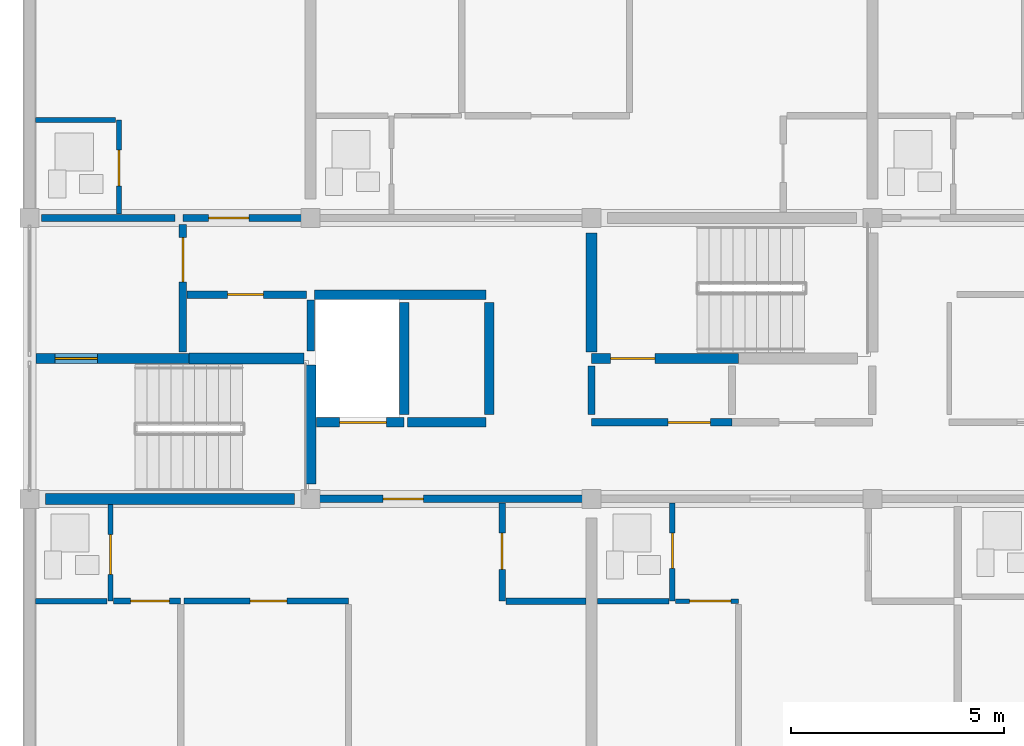
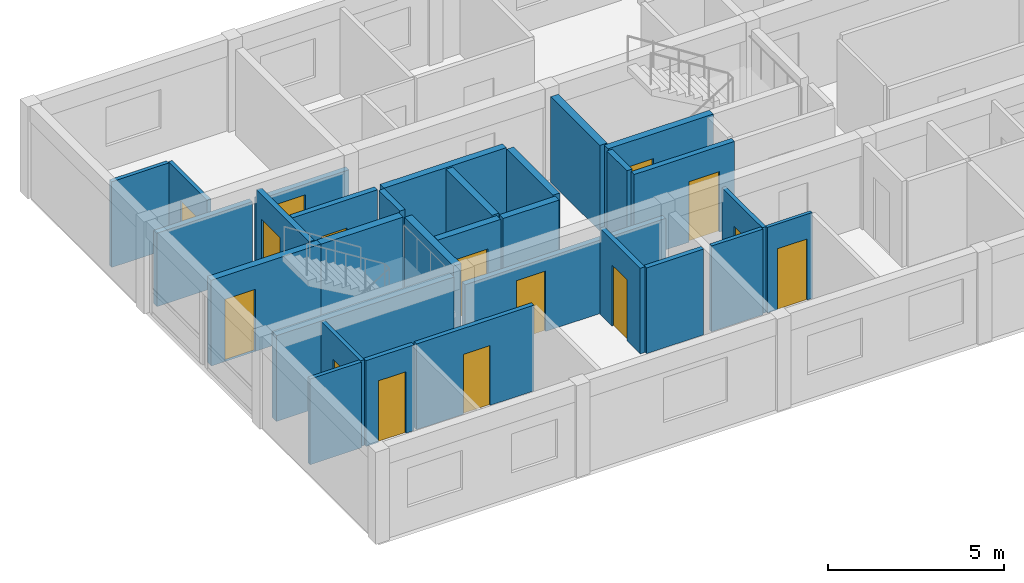
# One storey, part 21 of 34: 30 walls, 15 doors, 15 openings.
"""IFC4 building model written with IfcOpenShell, lengths in metres."""

from ifc_helpers import new_model, si_unit, direction, frame, frame_2d, origin, place, context, subcontext, project, spatial, rectangle, extrude, material, layer, layer_set, type_object, element, fill, save


model = new_model("IFC4")

# Units and contexts
model_context = context("Model", 3, precision=1e-05, world=origin(), true_north=direction((0.0, 1.0)))
body_context = subcontext(model_context, "Body", "Model", "MODEL_VIEW")
ifc_project = project(units=[si_unit("LENGTHUNIT", "METRE"), si_unit("AREAUNIT", "SQUARE_METRE"), si_unit("VOLUMEUNIT", "CUBIC_METRE"), si_unit("PLANEANGLEUNIT", "RADIAN"), si_unit("MASSUNIT", "GRAM", prefix="KILO")], contexts=[model_context])

# Site, building, storey
site_placement = place(None, origin())
site = spatial("IfcSite", under=ifc_project, at=site_placement, CompositionType="ELEMENT")
building_placement = place(site_placement, origin())
building = spatial("IfcBuilding", under=site, at=building_placement, Name="Kernevlak Ridge Housing Community", CompositionType="ELEMENT")
storey_placement = place(building_placement, frame((0.0, 0.0, 40.39990234375)))
storey = spatial("IfcBuildingStorey", under=building, at=storey_placement, Name="L12", CompositionType="ELEMENT", Elevation=40.39990234375)

# Wall, opening, door
ifc_material_1 = material(Name="Concrete C35/45", Category="concrete")
ifc_layer_1 = layer(ifc_material_1, 0.22509765625, Name="Concrete C35/45")
ifc_layer_set_1 = layer_set([ifc_layer_1], Name="Concrete C35/45")
wall_type_1 = type_object("IfcWallType", Name="PW-01", PredefinedType="STANDARD", material=ifc_layer_set_1)
wall_1_placement = place(storey_placement, frame((15.75, 85.89990234375, 0.0), z_axis=(0.0, 0.0, 1.0), x_axis=(1.0, 0.0, 0.0)))
wall_1 = element("IfcWall", 1, at=wall_1_placement, inside=storey, type_object=wall_type_1, Name="Interior wall PW-01 WAL-INT-L12-0756", PredefinedType="STANDARD", context=body_context, shape_type="SweptSolid", body=[
    extrude(rectangle(XDim=3.60009765625, YDim=0.22509765625, at=frame_2d((1.800048828125, 0.0))), origin(), (0.0, 0.0, 1.0), 2.97998046875),
])
opening_1_placement = place(wall_1_placement, frame((0.449951171875, 0.0, 0.0)))
opening_1 = element("IfcOpeningElement", 2, at=opening_1_placement, cuts=wall_1, Name="Opening D383", PredefinedType="OPENING", context=body_context, shape_type="SweptSolid", body=[
    extrude(rectangle(XDim=1.0, YDim=2.159912109375, at=frame_2d((0.5, 1.080078125))), frame((0.0, 0.12255859375, 0.0), z_axis=(0.0, -1.0, 0.0), x_axis=(1.0, 0.0, 0.0)), (0.0, 0.0, 1.0), 0.2451171875),
])
ifc_material_2 = material(Name="Fire-rated sheet steel leaf", Category="steel")
door_type_1 = type_object("IfcDoorType", Name="DT-15", OperationType="NOTDEFINED", PredefinedType="DOOR", material=ifc_material_2)
door_1_placement = place(opening_1_placement, origin())
door_1 = element("IfcDoor", 3, at=door_1_placement, inside=storey, type_object=door_type_1, Name="Block A Stair 1 fire door D383", OperationType="SINGLE_SWING_LEFT", OverallHeight=2.159912109375, OverallWidth=1.0, PredefinedType="DOOR", context=body_context, shape_type="SweptSolid", body=[
    extrude(rectangle(XDim=1.0, YDim=2.159912109375, at=frame_2d((0.5, 1.080078125))), frame((0.0, 0.02490234375, 0.0), z_axis=(0.0, -1.0, 0.0), x_axis=(1.0, 0.0, 0.0)), (0.0, 0.0, 1.0), 0.050048828125),
])
fill(opening_1, door_1)

wall_2_placement = place(storey_placement, frame((22.3349609375, 84.39990234375, 0.0), z_axis=(0.0, 0.0, 1.0), x_axis=(1.0, 0.0, 0.0)))
wall_2 = element("IfcWall", 4, at=wall_2_placement, inside=storey, type_object=wall_type_1, Name="Interior wall PW-01 WAL-INT-L12-0760", PredefinedType="STANDARD", context=body_context, shape_type="SweptSolid", body=[
    extrude(rectangle(XDim=2.06494140625, YDim=0.22509765625, at=frame_2d((1.032470703125, 0.0))), origin(), (0.0, 0.0, 1.0), 2.97998046875),
])
opening_2_placement = place(wall_2_placement, frame((0.550048828125, 0.0, 0.0)))
opening_2 = element("IfcOpeningElement", 5, at=opening_2_placement, cuts=wall_2, Name="Opening LD23", PredefinedType="OPENING", context=body_context, shape_type="SweptSolid", body=[
    extrude(rectangle(XDim=1.10009765625, YDim=2.10009765625, at=frame_2d((0.550048828125, 1.050048828125))), frame((0.0, 0.12255859375, 0.0), z_axis=(0.0, -1.0, 0.0), x_axis=(1.0, 0.0, 0.0)), (0.0, 0.0, 1.0), 0.2451171875),
])
ifc_material_3 = material(Name="Stainless steel EN 1.4401", Category="steel")
door_type_2 = type_object("IfcDoorType", Name="DT-LD1", OperationType="DOUBLE_DOOR_SLIDING", PredefinedType="DOOR", material=ifc_material_3)
door_2_placement = place(opening_2_placement, origin())
door_2 = element("IfcDoor", 6, at=door_2_placement, inside=storey, type_object=door_type_2, Name="Lift LF-A1 landing door LD23", OperationType="DOUBLE_DOOR_SLIDING", OverallHeight=2.10009765625, OverallWidth=1.10009765625, PredefinedType="DOOR", context=body_context, shape_type="SweptSolid", body=[
    extrude(rectangle(XDim=1.10009765625, YDim=2.10009765625, at=frame_2d((0.550048828125, 1.050048828125))), frame((0.0, 0.02490234375, 0.0), z_axis=(0.0, -1.0, 0.0), x_axis=(1.0, 0.0, 0.0)), (0.0, 0.0, 1.0), 0.050048828125),
])
fill(opening_2, door_2)

# Walls
wall_3_placement = place(storey_placement, frame((24.47998046875, 84.39990234375, 0.0), z_axis=(0.0, 0.0, 1.0), x_axis=(1.0, 0.0, 0.0)))
element("IfcWall", 7, at=wall_3_placement, inside=storey, type_object=wall_type_1, Name="Interior wall PW-01 WAL-INT-L12-0761", PredefinedType="STANDARD", context=body_context, shape_type="SweptSolid", body=[
    extrude(rectangle(XDim=1.840087890625, YDim=0.22509765625, at=frame_2d((0.919921875, 0.0))), origin(), (0.0, 0.0, 1.0), 2.97998046875),
])
wall_4_placement = place(storey_placement, frame((22.297607421875, 87.39990234375, 0.0), z_axis=(0.0, 0.0, 1.0), x_axis=(1.0, 0.0, 0.0)))
element("IfcWall", 8, at=wall_4_placement, inside=storey, type_object=wall_type_1, Name="Interior wall PW-01 WAL-INT-L12-0762", PredefinedType="STANDARD", context=body_context, shape_type="SweptSolid", body=[
    extrude(rectangle(XDim=4.0224609375, YDim=0.22509765625, at=frame_2d((2.01123046875, 0.0))), origin(), (0.0, 0.0, 1.0), 2.97998046875),
])
for number, where, z_axis, x_axis, name in (
    (9, (24.39990234375, 84.580078125, 0.0), (0.0, 0.0, 1.0), (0.0, 1.0, 0.0), "Interior wall PW-01 WAL-INT-L12-0764"),
    (10, (26.39990234375, 84.580078125, 0.0), (0.0, 0.0, 1.0), (0.0, 1.0, 0.0), "Interior wall PW-01 WAL-INT-L12-0765"),
):
    element("IfcWall", number, at=place(storey_placement, frame(where, z_axis=z_axis, x_axis=x_axis)), inside=storey, type_object=wall_type_1, Name=name, PredefinedType="STANDARD", context=body_context, shape_type="SweptSolid", body=[
        extrude(rectangle(XDim=2.639892578125, YDim=0.22509765625, at=frame_2d((1.31982421875, 0.0))), origin(), (0.0, 0.0, 1.0), 2.97998046875),
    ])

# Wall, opening, door
wall_5_placement = place(storey_placement, frame((28.800048828125, 85.89990234375, 0.0), z_axis=(0.0, 0.0, 1.0), x_axis=(1.0, 0.0, 0.0)))
wall_5 = element("IfcWall", 11, at=wall_5_placement, inside=storey, type_object=wall_type_1, Name="Interior wall PW-01 WAL-INT-L12-0766", PredefinedType="STANDARD", context=body_context, shape_type="SweptSolid", body=[
    extrude(rectangle(XDim=3.449951171875, YDim=0.22509765625, at=frame_2d((1.72509765625, 0.0))), origin(), (0.0, 0.0, 1.0), 2.97998046875),
])
opening_3_placement = place(wall_5_placement, frame((0.449951171875, 0.0, 0.0)))
opening_3 = element("IfcOpeningElement", 12, at=opening_3_placement, cuts=wall_5, Name="Opening D386", PredefinedType="OPENING", context=body_context, shape_type="SweptSolid", body=[
    extrude(rectangle(XDim=1.0400390625, YDim=2.1201171875, at=frame_2d((0.52001953125, 1.06005859375))), frame((0.0, 0.12255859375, 0.0), z_axis=(0.0, -1.0, 0.0), x_axis=(1.0, 0.0, 0.0)), (0.0, 0.0, 1.0), 0.2451171875),
])
door_type_3 = type_object("IfcDoorType", Name="DT-16", OperationType="NOTDEFINED", PredefinedType="DOOR", material=ifc_material_2)
door_3_placement = place(opening_3_placement, origin())
door_3 = element("IfcDoor", 13, at=door_3_placement, inside=storey, type_object=door_type_3, Name="Block A Stair 2 fire door D386", OperationType="SINGLE_SWING_RIGHT", OverallHeight=2.1201171875, OverallWidth=1.0400390625, PredefinedType="DOOR", context=body_context, shape_type="SweptSolid", body=[
    extrude(rectangle(XDim=1.0400390625, YDim=2.1201171875, at=frame_2d((0.52001953125, 1.06005859375))), frame((0.0, 0.02490234375, 0.0), z_axis=(0.0, -1.0, 0.0), x_axis=(1.0, 0.0, 0.0)), (0.0, 0.0, 1.0), 0.050048828125),
])
fill(opening_3, door_3)

ifc_material_4 = material(Name="Concrete block masonry M10", Category="masonry")
ifc_layer_2 = layer(ifc_material_4, 0.175048828125, Name="Concrete block masonry M10")
ifc_layer_set_2 = layer_set([ifc_layer_2], Name="Concrete block masonry M10")
wall_type_2 = type_object("IfcWallType", Name="PW-02", PredefinedType="PARTITIONING", material=ifc_layer_set_2)
wall_6_placement = place(storey_placement, frame((19.199951171875, 86.050048828125, 0.0), z_axis=(0.0, 0.0, 1.0), x_axis=(0.0, 1.0, 0.0)))
wall_6 = element("IfcWall", 14, at=wall_6_placement, inside=storey, type_object=wall_type_2, Name="Interior wall PW-02 WAL-INT-L12-0757", PredefinedType="PARTITIONING", context=body_context, shape_type="SweptSolid", body=[
    extrude(rectangle(XDim=3.0, YDim=0.175048828125, at=frame_2d((1.5, 0.0))), origin(), (0.0, 0.0, 1.0), 2.97998046875),
])
opening_4_placement = place(wall_6_placement, frame((1.64990234375, 0.0, 0.0)))
opening_4 = element("IfcOpeningElement", 15, at=opening_4_placement, cuts=wall_6, Name="Opening D384", PredefinedType="OPENING", context=body_context, shape_type="SweptSolid", body=[
    extrude(rectangle(XDim=1.0400390625, YDim=2.1201171875, at=frame_2d((0.52001953125, 1.06005859375))), frame((0.0, 0.097412109375, 0.0), z_axis=(0.0, -1.0, 0.0), x_axis=(1.0, 0.0, 0.0)), (0.0, 0.0, 1.0), 0.195068359375),
])
door_4_placement = place(opening_4_placement, origin())
door_4 = element("IfcDoor", 16, at=door_4_placement, inside=storey, type_object=door_type_3, Name="Block A Firefighting lobby 1 door D384", OperationType="SINGLE_SWING_RIGHT", OverallHeight=2.1201171875, OverallWidth=1.0400390625, PredefinedType="DOOR", context=body_context, shape_type="SweptSolid", body=[
    extrude(rectangle(XDim=1.0400390625, YDim=2.1201171875, at=frame_2d((0.52001953125, 1.06005859375))), frame((0.0, 0.02490234375, 0.0), z_axis=(0.0, -1.0, 0.0), x_axis=(1.0, 0.0, 0.0)), (0.0, 0.0, 1.0), 0.050048828125),
])
fill(opening_4, door_4)

wall_7_placement = place(storey_placement, frame((19.300048828125, 87.39990234375, 0.0), z_axis=(0.0, 0.0, 1.0), x_axis=(1.0, 0.0, 0.0)))
wall_7 = element("IfcWall", 17, at=wall_7_placement, inside=storey, type_object=wall_type_2, Name="Interior wall PW-02 WAL-INT-L12-0758", PredefinedType="PARTITIONING", context=body_context, shape_type="SweptSolid", body=[
    extrude(rectangle(XDim=2.800048828125, YDim=0.175048828125, at=frame_2d((1.39990234375, 0.0))), origin(), (0.0, 0.0, 1.0), 2.97998046875),
])
opening_5_placement = place(wall_7_placement, frame((0.949951171875, 0.0, 0.0)))
opening_5 = element("IfcOpeningElement", 18, at=opening_5_placement, cuts=wall_7, Name="Opening D385", PredefinedType="OPENING", context=body_context, shape_type="SweptSolid", body=[
    extrude(rectangle(XDim=0.85009765625, YDim=2.0, at=frame_2d((0.425048828125, 1.0))), frame((0.0, 0.097412109375, 0.0), z_axis=(0.0, -1.0, 0.0), x_axis=(1.0, 0.0, 0.0)), (0.0, 0.0, 1.0), 0.195068359375),
])
door_type_4 = type_object("IfcDoorType", Name="DT-07", OperationType="NOTDEFINED", PredefinedType="DOOR", material=ifc_material_2)
door_5_placement = place(opening_5_placement, origin())
door_5 = element("IfcDoor", 19, at=door_5_placement, inside=storey, type_object=door_type_4, Name="Block A Riser shaft door D385", OperationType="SINGLE_SWING_LEFT", OverallHeight=2.0, OverallWidth=0.85009765625, PredefinedType="DOOR", context=body_context, shape_type="SweptSolid", body=[
    extrude(rectangle(XDim=0.85009765625, YDim=2.0, at=frame_2d((0.425048828125, 1.0))), frame((0.0, 0.02490234375, 0.0), z_axis=(0.0, -1.0, 0.0), x_axis=(1.0, 0.0, 0.0)), (0.0, 0.0, 1.0), 0.050048828125),
])
fill(opening_5, door_5)

# Wall
wall_8_placement = place(storey_placement, frame((22.199951171875, 86.080078125, 0.0), z_axis=(0.0, 0.0, 1.0), x_axis=(0.0, 1.0, 0.0)))
element("IfcWall", 20, at=wall_8_placement, inside=storey, type_object=wall_type_2, Name="Interior wall PW-02 WAL-INT-L12-0759", PredefinedType="PARTITIONING", context=body_context, shape_type="SweptSolid", body=[
    extrude(rectangle(XDim=1.18994140625, YDim=0.175048828125, at=frame_2d((0.594970703125, 0.0))), origin(), (0.0, 0.0, 1.0), 2.97998046875),
])

# Wall, opening, door
wall_9_placement = place(storey_placement, frame((28.800048828125, 84.39990234375, 0.0), z_axis=(0.0, 0.0, 1.0), x_axis=(1.0, 0.0, 0.0)))
wall_9 = element("IfcWall", 21, at=wall_9_placement, inside=storey, type_object=wall_type_2, Name="Interior wall PW-02 WAL-INT-L12-0767", PredefinedType="PARTITIONING", context=body_context, shape_type="SweptSolid", body=[
    extrude(rectangle(XDim=3.300048828125, YDim=0.175048828125, at=frame_2d((1.64990234375, 0.0))), origin(), (0.0, 0.0, 1.0), 2.97998046875),
])
opening_6_placement = place(wall_9_placement, frame((1.800048828125, 0.0, 0.0)))
opening_6 = element("IfcOpeningElement", 22, at=opening_6_placement, cuts=wall_9, Name="Opening D387", PredefinedType="OPENING", context=body_context, shape_type="SweptSolid", body=[
    extrude(rectangle(XDim=1.0, YDim=2.10009765625, at=frame_2d((0.5, 1.050048828125))), frame((0.0, 0.097412109375, 0.0), z_axis=(0.0, -1.0, 0.0), x_axis=(1.0, 0.0, 0.0)), (0.0, 0.0, 1.0), 0.195068359375),
])
door_type_5 = type_object("IfcDoorType", Name="DT-05", OperationType="NOTDEFINED", PredefinedType="DOOR", material=ifc_material_2)
door_6_placement = place(opening_6_placement, origin())
door_6 = element("IfcDoor", 23, at=door_6_placement, inside=storey, type_object=door_type_5, Name="Block A Firefighting lobby 2 door D387", OperationType="SINGLE_SWING_LEFT", OverallHeight=2.10009765625, OverallWidth=1.0, PredefinedType="DOOR", context=body_context, shape_type="SweptSolid", body=[
    extrude(rectangle(XDim=1.0, YDim=2.10009765625, at=frame_2d((0.5, 1.050048828125))), frame((0.0, 0.02490234375, 0.0), z_axis=(0.0, -1.0, 0.0), x_axis=(1.0, 0.0, 0.0)), (0.0, 0.0, 1.0), 0.050048828125),
])
fill(opening_6, door_6)

# Wall
wall_10_placement = place(storey_placement, frame((28.800048828125, 84.580078125, 0.0), z_axis=(0.0, 0.0, 1.0), x_axis=(0.0, 1.0, 0.0)))
element("IfcWall", 24, at=wall_10_placement, inside=storey, type_object=wall_type_2, Name="Interior wall PW-02 WAL-INT-L12-0769", PredefinedType="PARTITIONING", context=body_context, shape_type="SweptSolid", body=[
    extrude(rectangle(XDim=1.139892578125, YDim=0.175048828125, at=frame_2d((0.56982421875, 0.0))), origin(), (0.0, 0.0, 1.0), 2.97998046875),
])

# Wall, opening, door
wall_11_placement = place(storey_placement, frame((22.199951171875, 82.60009765625, 0.0), z_axis=(0.0, 0.0, 1.0), x_axis=(1.0, 0.0, 0.0)))
wall_11 = element("IfcWall", 25, at=wall_11_placement, inside=storey, type_object=wall_type_2, Name="Interior wall PW-02 WAL-INT-L12-0777", PredefinedType="PARTITIONING", context=body_context, shape_type="SweptSolid", body=[
    extrude(rectangle(XDim=6.60009765625, YDim=0.175048828125, at=frame_2d((3.300048828125, 0.0))), origin(), (0.0, 0.0, 1.0), 2.550048828125),
])
opening_7_placement = place(wall_11_placement, frame((1.699951171875, 0.0, 0.0)))
opening_7 = element("IfcOpeningElement", 26, at=opening_7_placement, cuts=wall_11, Name="Opening D391", PredefinedType="OPENING", context=body_context, shape_type="SweptSolid", body=[
    extrude(rectangle(XDim=0.949951171875, YDim=2.10009765625, at=frame_2d((0.47509765625, 1.050048828125))), frame((0.0, 0.097412109375, 0.0), z_axis=(0.0, -1.0, 0.0), x_axis=(1.0, 0.0, 0.0)), (0.0, 0.0, 1.0), 0.195068359375),
])
ifc_material_5 = material(Name="Hardwood timber solid-core fire leaf", Category="wood")
door_type_6 = type_object("IfcDoorType", Name="DT-01", OperationType="NOTDEFINED", PredefinedType="DOOR", material=ifc_material_5)
door_7_placement = place(opening_7_placement, origin())
door_7 = element("IfcDoor", 27, at=door_7_placement, inside=storey, type_object=door_type_6, Name="Flat A1211 entrance fire door D391", OperationType="SINGLE_SWING_LEFT", OverallHeight=2.10009765625, OverallWidth=0.949951171875, PredefinedType="DOOR", context=body_context, shape_type="SweptSolid", body=[
    extrude(rectangle(XDim=0.949951171875, YDim=2.10009765625, at=frame_2d((0.47509765625, 1.050048828125))), frame((0.0, 0.02490234375, 0.0), z_axis=(0.0, -1.0, 0.0), x_axis=(1.0, 0.0, 0.0)), (0.0, 0.0, 1.0), 0.050048828125),
])
fill(opening_7, door_7)

# Wall
wall_12_placement = place(storey_placement, frame((15.8798828125, 89.199951171875, 0.0), z_axis=(0.0, 0.0, 1.0), x_axis=(1.0, 0.0, 0.0)))
element("IfcWall", 28, at=wall_12_placement, inside=storey, type_object=wall_type_2, Name="Interior wall PW-02 WAL-INT-L12-0797", PredefinedType="PARTITIONING", context=body_context, shape_type="SweptSolid", body=[
    extrude(rectangle(XDim=3.14013671875, YDim=0.175048828125, at=frame_2d((1.570068359375, 0.0))), origin(), (0.0, 0.0, 1.0), 2.550048828125),
])

# Wall, opening, door
wall_13_placement = place(storey_placement, frame((19.199951171875, 89.199951171875, 0.0), z_axis=(0.0, 0.0, 1.0), x_axis=(1.0, 0.0, 0.0)))
wall_13 = element("IfcWall", 29, at=wall_13_placement, inside=storey, type_object=wall_type_2, Name="Interior wall PW-02 WAL-INT-L12-0798", PredefinedType="PARTITIONING", context=body_context, shape_type="SweptSolid", body=[
    extrude(rectangle(XDim=3.0, YDim=0.175048828125, at=frame_2d((1.5, 0.0))), origin(), (0.0, 0.0, 1.0), 2.550048828125),
])
opening_8_placement = place(wall_13_placement, frame((0.60009765625, 0.0, 0.0)))
opening_8 = element("IfcOpeningElement", 30, at=opening_8_placement, cuts=wall_13, Name="Opening D402", PredefinedType="OPENING", context=body_context, shape_type="SweptSolid", body=[
    extrude(rectangle(XDim=0.9599609375, YDim=2.179931640625, at=frame_2d((0.47998046875, 1.08984375))), frame((0.0, 0.097412109375, 0.0), z_axis=(0.0, -1.0, 0.0), x_axis=(1.0, 0.0, 0.0)), (0.0, 0.0, 1.0), 0.195068359375),
])
door_type_7 = type_object("IfcDoorType", Name="DT-29", OperationType="NOTDEFINED", PredefinedType="DOOR", material=ifc_material_5)
door_8_placement = place(opening_8_placement, origin())
door_8 = element("IfcDoor", 31, at=door_8_placement, inside=storey, type_object=door_type_7, Name="Flat A1221 entrance fire door D402", OperationType="SINGLE_SWING_RIGHT", OverallHeight=2.179931640625, OverallWidth=0.9599609375, PredefinedType="DOOR", context=body_context, shape_type="SweptSolid", body=[
    extrude(rectangle(XDim=0.9599609375, YDim=2.179931640625, at=frame_2d((0.47998046875, 1.08984375))), frame((0.0, 0.02490234375, 0.0), z_axis=(0.0, -1.0, 0.0), x_axis=(1.0, 0.0, 0.0)), (0.0, 0.0, 1.0), 0.050048828125),
])
fill(opening_8, door_8)

ifc_layer_3 = layer(ifc_material_4, 0.14501953125, Name="Concrete block masonry M10")
ifc_layer_set_3 = layer_set([ifc_layer_3], Name="Concrete block masonry M10")
wall_type_3 = type_object("IfcWallType", Name="PW-03", PredefinedType="PARTITIONING", material=ifc_layer_set_3)
wall_14_placement = place(storey_placement, frame((17.572509765625, 80.199951171875, 0.0), z_axis=(0.0, 0.0, 1.0), x_axis=(1.0, 0.0, 0.0)))
wall_14 = element("IfcWall", 32, at=wall_14_placement, inside=storey, type_object=wall_type_3, Name="Interior wall PW-03 WAL-INT-L12-0782", PredefinedType="PARTITIONING", context=body_context, shape_type="SweptSolid", body=[
    extrude(rectangle(XDim=1.577392578125, YDim=0.14501953125, at=frame_2d((0.78857421875, 0.0))), origin(), (0.0, 0.0, 1.0), 2.97998046875),
])
opening_9_placement = place(wall_14_placement, frame((0.39990234375, 0.0, 0.0)))
opening_9 = element("IfcOpeningElement", 33, at=opening_9_placement, cuts=wall_14, Name="Opening D394", PredefinedType="OPENING", context=body_context, shape_type="SweptSolid", body=[
    extrude(rectangle(XDim=0.909912109375, YDim=2.139892578125, at=frame_2d((0.455078125, 1.06982421875))), frame((0.0, 0.08251953125, 0.0), z_axis=(0.0, -1.0, 0.0), x_axis=(1.0, 0.0, 0.0)), (0.0, 0.0, 1.0), 0.1650390625),
])
ifc_material_6 = material(Name="Hardwood timber leaf", Category="wood")
door_type_8 = type_object("IfcDoorType", Name="DT-31", OperationType="NOTDEFINED", PredefinedType="DOOR", material=ifc_material_6)
door_9_placement = place(opening_9_placement, origin())
door_9 = element("IfcDoor", 34, at=door_9_placement, inside=storey, type_object=door_type_8, Name="Flat A1211 bedroom door D394", OperationType="SINGLE_SWING_RIGHT", OverallHeight=2.139892578125, OverallWidth=0.909912109375, PredefinedType="DOOR", context=body_context, shape_type="SweptSolid", body=[
    extrude(rectangle(XDim=0.909912109375, YDim=2.139892578125, at=frame_2d((0.455078125, 1.06982421875))), frame((0.0, 0.02490234375, 0.0), z_axis=(0.0, -1.0, 0.0), x_axis=(1.0, 0.0, 0.0)), (0.0, 0.0, 1.0), 0.050048828125),
])
fill(opening_9, door_9)

wall_15_placement = place(storey_placement, frame((19.232421875, 80.199951171875, 0.0), z_axis=(0.0, 0.0, 1.0), x_axis=(1.0, 0.0, 0.0)))
wall_15 = element("IfcWall", 35, at=wall_15_placement, inside=storey, type_object=wall_type_3, Name="Interior wall PW-03 WAL-INT-L12-0784", PredefinedType="PARTITIONING", context=body_context, shape_type="SweptSolid", body=[
    extrude(rectangle(XDim=3.859619140625, YDim=0.14501953125, at=frame_2d((1.9296875, 0.0))), origin(), (0.0, 0.0, 1.0), 2.97998046875),
])
opening_10_placement = place(wall_15_placement, frame((1.5458984375, 0.0, 0.0)))
opening_10 = element("IfcOpeningElement", 36, at=opening_10_placement, cuts=wall_15, Name="Opening D395", PredefinedType="OPENING", context=body_context, shape_type="SweptSolid", body=[
    extrude(rectangle(XDim=0.8701171875, YDim=2.080078125, at=frame_2d((0.43505859375, 1.0400390625))), frame((0.0, 0.08251953125, 0.0), z_axis=(0.0, -1.0, 0.0), x_axis=(1.0, 0.0, 0.0)), (0.0, 0.0, 1.0), 0.1650390625),
])
door_type_9 = type_object("IfcDoorType", Name="DT-32", OperationType="NOTDEFINED", PredefinedType="DOOR", material=ifc_material_6)
door_10_placement = place(opening_10_placement, origin())
door_10 = element("IfcDoor", 37, at=door_10_placement, inside=storey, type_object=door_type_9, Name="Flat A1211 bedroom door D395", OperationType="SINGLE_SWING_LEFT", OverallHeight=2.080078125, OverallWidth=0.8701171875, PredefinedType="DOOR", context=body_context, shape_type="SweptSolid", body=[
    extrude(rectangle(XDim=0.8701171875, YDim=2.080078125, at=frame_2d((0.43505859375, 1.0400390625))), frame((0.0, 0.02490234375, 0.0), z_axis=(0.0, -1.0, 0.0), x_axis=(1.0, 0.0, 0.0)), (0.0, 0.0, 1.0), 0.050048828125),
])
fill(opening_10, door_10)

ifc_material_7 = material(Name="Gypsum plasterboard EN 520", Category="gypsum")
ifc_layer_4 = layer(ifc_material_7, 0.125, Name="Gypsum plasterboard EN 520")
ifc_layer_set_4 = layer_set([ifc_layer_4], Name="Gypsum plasterboard EN 520")
wall_type_4 = type_object("IfcWallType", Name="PW-04", PredefinedType="PARTITIONING", material=ifc_layer_set_4)
wall_16_placement = place(storey_placement, frame((17.5, 82.465087890625, 0.0), z_axis=(0.0, 0.0, 1.0), x_axis=(0.0, -1.0, 0.0)))
wall_16 = element("IfcWall", 38, at=wall_16_placement, inside=storey, type_object=wall_type_4, Name="Interior wall PW-04 WAL-INT-L12-0778", PredefinedType="PARTITIONING", context=body_context, shape_type="SweptSolid", body=[
    extrude(rectangle(XDim=2.26513671875, YDim=0.125, at=frame_2d((1.132568359375, 0.0))), origin(), (0.0, 0.0, 1.0), 2.97998046875),
])
opening_11_placement = place(wall_16_placement, frame((0.699951171875, 0.0, 0.0)))
opening_11 = element("IfcOpeningElement", 39, at=opening_11_placement, cuts=wall_16, Name="Opening D392", PredefinedType="OPENING", context=body_context, shape_type="SweptSolid", body=[
    extrude(rectangle(XDim=0.93994140625, YDim=2.080078125, at=frame_2d((0.469970703125, 1.0400390625))), frame((0.0, 0.072509765625, 0.0), z_axis=(0.0, -1.0, 0.0), x_axis=(1.0, 0.0, 0.0)), (0.0, 0.0, 1.0), 0.14501953125),
])
ifc_material_8 = material(Name="Hardwood timber moisture-resistant leaf", Category="wood")
door_type_10 = type_object("IfcDoorType", Name="DT-23", OperationType="NOTDEFINED", PredefinedType="DOOR", material=ifc_material_8)
door_11_placement = place(opening_11_placement, origin())
door_11 = element("IfcDoor", 40, at=door_11_placement, inside=storey, type_object=door_type_10, Name="Flat A1211 bathroom door D392", OperationType="SINGLE_SWING_RIGHT", OverallHeight=2.080078125, OverallWidth=0.93994140625, PredefinedType="DOOR", context=body_context, shape_type="SweptSolid", body=[
    extrude(rectangle(XDim=0.93994140625, YDim=2.080078125, at=frame_2d((0.469970703125, 1.0400390625))), frame((0.0, 0.02490234375, 0.0), z_axis=(0.0, -1.0, 0.0), x_axis=(1.0, 0.0, 0.0)), (0.0, 0.0, 1.0), 0.050048828125),
])
fill(opening_11, door_11)

# Wall
wall_17_placement = place(storey_placement, frame((15.739990234375, 80.199951171875, 0.0), z_axis=(0.0, 0.0, 1.0), x_axis=(1.0, 0.0, 0.0)))
element("IfcWall", 41, at=wall_17_placement, inside=storey, type_object=wall_type_4, Name="Interior wall PW-04 WAL-INT-L12-0779", PredefinedType="PARTITIONING", context=body_context, shape_type="SweptSolid", body=[
    extrude(rectangle(XDim=1.679931640625, YDim=0.125, at=frame_2d((0.83984375, 0.0))), origin(), (0.0, 0.0, 1.0), 2.97998046875),
])

# Wall, opening, door
wall_18_placement = place(storey_placement, frame((30.699951171875, 82.50244140625, 0.0), z_axis=(0.0, 0.0, 1.0), x_axis=(0.0, -1.0, 0.0)))
wall_18 = element("IfcWall", 42, at=wall_18_placement, inside=storey, type_object=wall_type_4, Name="Interior wall PW-04 WAL-INT-L12-0787", PredefinedType="PARTITIONING", context=body_context, shape_type="SweptSolid", body=[
    extrude(rectangle(XDim=2.302490234375, YDim=0.125, at=frame_2d((1.1513671875, 0.0))), origin(), (0.0, 0.0, 1.0), 2.97998046875),
])
opening_12_placement = place(wall_18_placement, frame((0.699951171875, 0.0, 0.0)))
opening_12 = element("IfcOpeningElement", 43, at=opening_12_placement, cuts=wall_18, Name="Opening D397", PredefinedType="OPENING", context=body_context, shape_type="SweptSolid", body=[
    extrude(rectangle(XDim=0.840087890625, YDim=2.06005859375, at=frame_2d((0.419921875, 1.030029296875))), frame((0.0, 0.072509765625, 0.0), z_axis=(0.0, -1.0, 0.0), x_axis=(1.0, 0.0, 0.0)), (0.0, 0.0, 1.0), 0.14501953125),
])
door_type_11 = type_object("IfcDoorType", Name="DT-27", OperationType="NOTDEFINED", PredefinedType="DOOR", material=ifc_material_8)
door_12_placement = place(opening_12_placement, origin())
door_12 = element("IfcDoor", 44, at=door_12_placement, inside=storey, type_object=door_type_11, Name="Flat A1212 bathroom door D397", OperationType="SINGLE_SWING_LEFT", OverallHeight=2.06005859375, OverallWidth=0.840087890625, PredefinedType="DOOR", context=body_context, shape_type="SweptSolid", body=[
    extrude(rectangle(XDim=0.840087890625, YDim=2.06005859375, at=frame_2d((0.419921875, 1.030029296875))), frame((0.0, 0.02490234375, 0.0), z_axis=(0.0, -1.0, 0.0), x_axis=(1.0, 0.0, 0.0)), (0.0, 0.0, 1.0), 0.050048828125),
])
fill(opening_12, door_12)

# Wall
wall_19_placement = place(storey_placement, frame((28.93505859375, 80.199951171875, 0.0), z_axis=(0.0, 0.0, 1.0), x_axis=(1.0, 0.0, 0.0)))
element("IfcWall", 45, at=wall_19_placement, inside=storey, type_object=wall_type_4, Name="Interior wall PW-04 WAL-INT-L12-0788", PredefinedType="PARTITIONING", context=body_context, shape_type="SweptSolid", body=[
    extrude(rectangle(XDim=1.68505859375, YDim=0.125, at=frame_2d((0.842529296875, 0.0))), origin(), (0.0, 0.0, 1.0), 2.97998046875),
])

# Wall, opening, door
wall_20_placement = place(storey_placement, frame((17.699951171875, 89.297607421875, 0.0), z_axis=(0.0, 0.0, 1.0), x_axis=(0.0, 1.0, 0.0)))
wall_20 = element("IfcWall", 46, at=wall_20_placement, inside=storey, type_object=wall_type_4, Name="Interior wall PW-04 WAL-INT-L12-0799", PredefinedType="PARTITIONING", context=body_context, shape_type="SweptSolid", body=[
    extrude(rectangle(XDim=2.202392578125, YDim=0.125, at=frame_2d((1.10107421875, 0.0))), origin(), (0.0, 0.0, 1.0), 2.97998046875),
])
opening_13_placement = place(wall_20_placement, frame((0.64990234375, 0.0, 0.0)))
opening_13 = element("IfcOpeningElement", 47, at=opening_13_placement, cuts=wall_20, Name="Opening D403", PredefinedType="OPENING", context=body_context, shape_type="SweptSolid", body=[
    extrude(rectangle(XDim=0.85009765625, YDim=2.0400390625, at=frame_2d((0.425048828125, 1.02001953125))), frame((0.0, 0.072509765625, 0.0), z_axis=(0.0, -1.0, 0.0), x_axis=(1.0, 0.0, 0.0)), (0.0, 0.0, 1.0), 0.14501953125),
])
door_type_12 = type_object("IfcDoorType", Name="DT-04", OperationType="NOTDEFINED", PredefinedType="DOOR", material=ifc_material_8)
door_13_placement = place(opening_13_placement, origin())
door_13 = element("IfcDoor", 48, at=door_13_placement, inside=storey, type_object=door_type_12, Name="Flat A1221 bathroom door D403", OperationType="SINGLE_SWING_LEFT", OverallHeight=2.0400390625, OverallWidth=0.85009765625, PredefinedType="DOOR", context=body_context, shape_type="SweptSolid", body=[
    extrude(rectangle(XDim=0.85009765625, YDim=2.0400390625, at=frame_2d((0.425048828125, 1.02001953125))), frame((0.0, 0.02490234375, 0.0), z_axis=(0.0, -1.0, 0.0), x_axis=(1.0, 0.0, 0.0)), (0.0, 0.0, 1.0), 0.050048828125),
])
fill(opening_13, door_13)

# Wall
wall_21_placement = place(storey_placement, frame((15.739990234375, 91.5, 0.0), z_axis=(0.0, 0.0, 1.0), x_axis=(1.0, 0.0, 0.0)))
element("IfcWall", 49, at=wall_21_placement, inside=storey, type_object=wall_type_4, Name="Interior wall PW-04 WAL-INT-L12-0800", PredefinedType="PARTITIONING", context=body_context, shape_type="SweptSolid", body=[
    extrude(rectangle(XDim=1.880126953125, YDim=0.125, at=frame_2d((0.93994140625, 0.0))), origin(), (0.0, 0.0, 1.0), 2.97998046875),
])

# Wall, opening, door
ifc_layer_5 = layer(ifc_material_7, 0.155029296875, Name="Gypsum plasterboard EN 520")
ifc_layer_set_5 = layer_set([ifc_layer_5], Name="Gypsum plasterboard EN 520")
wall_type_5 = type_object("IfcWallType", Name="PW-05", PredefinedType="PARTITIONING", material=ifc_layer_set_5)
wall_22_placement = place(storey_placement, frame((26.699951171875, 82.50244140625, 0.0), z_axis=(0.0, 0.0, 1.0), x_axis=(0.0, -1.0, 0.0)))
wall_22 = element("IfcWall", 50, at=wall_22_placement, inside=storey, type_object=wall_type_5, Name="Interior wall PW-05 WAL-INT-L12-0780", PredefinedType="PARTITIONING", context=body_context, shape_type="SweptSolid", body=[
    extrude(rectangle(XDim=2.302490234375, YDim=0.155029296875, at=frame_2d((1.1513671875, 0.0))), origin(), (0.0, 0.0, 1.0), 2.97998046875),
])
opening_14_placement = place(wall_22_placement, frame((0.699951171875, 0.0, 0.0)))
opening_14 = element("IfcOpeningElement", 51, at=opening_14_placement, cuts=wall_22, Name="Opening D393", PredefinedType="OPENING", context=body_context, shape_type="SweptSolid", body=[
    extrude(rectangle(XDim=0.860107421875, YDim=2.1201171875, at=frame_2d((0.43017578125, 1.06005859375))), frame((0.0, 0.08740234375, 0.0), z_axis=(0.0, -1.0, 0.0), x_axis=(1.0, 0.0, 0.0)), (0.0, 0.0, 1.0), 0.175048828125),
])
door_type_13 = type_object("IfcDoorType", Name="DT-28", OperationType="NOTDEFINED", PredefinedType="DOOR", material=ifc_material_6)
door_14_placement = place(opening_14_placement, origin())
door_14 = element("IfcDoor", 52, at=door_14_placement, inside=storey, type_object=door_type_13, Name="Flat A1211 kitchen door D393", OperationType="SINGLE_SWING_LEFT", OverallHeight=2.1201171875, OverallWidth=0.860107421875, PredefinedType="DOOR", context=body_context, shape_type="SweptSolid", body=[
    extrude(rectangle(XDim=0.860107421875, YDim=2.1201171875, at=frame_2d((0.43017578125, 1.06005859375))), frame((0.0, 0.02490234375, 0.0), z_axis=(0.0, -1.0, 0.0), x_axis=(1.0, 0.0, 0.0)), (0.0, 0.0, 1.0), 0.050048828125),
])
fill(opening_14, door_14)

# Wall
wall_23_placement = place(storey_placement, frame((26.78759765625, 80.199951171875, 0.0), z_axis=(0.0, 0.0, 1.0), x_axis=(1.0, 0.0, 0.0)))
element("IfcWall", 53, at=wall_23_placement, inside=storey, type_object=wall_type_5, Name="Interior wall PW-05 WAL-INT-L12-0781", PredefinedType="PARTITIONING", context=body_context, shape_type="SweptSolid", body=[
    extrude(rectangle(XDim=1.87744140625, YDim=0.155029296875, at=frame_2d((0.938720703125, 0.0))), origin(), (0.0, 0.0, 1.0), 2.97998046875),
])

# Wall, opening, door
ifc_layer_6 = layer(ifc_material_7, 0.10498046875, Name="Gypsum plasterboard EN 520")
ifc_layer_set_6 = layer_set([ifc_layer_6], Name="Gypsum plasterboard EN 520")
wall_type_6 = type_object("IfcWallType", Name="PW-06", PredefinedType="PARTITIONING", material=ifc_layer_set_6)
wall_24_placement = place(storey_placement, frame((30.7724609375, 80.199951171875, 0.0), z_axis=(0.0, 0.0, 1.0), x_axis=(1.0, 0.0, 0.0)))
wall_24 = element("IfcWall", 54, at=wall_24_placement, inside=storey, type_object=wall_type_6, Name="Interior wall PW-06 WAL-INT-L12-0791", PredefinedType="PARTITIONING", context=body_context, shape_type="SweptSolid", body=[
    extrude(rectangle(XDim=1.4775390625, YDim=0.10498046875, at=frame_2d((0.73876953125, 0.0))), origin(), (0.0, 0.0, 1.0), 2.97998046875),
])
opening_15_placement = place(wall_24_placement, frame((0.327392578125, 0.0, 0.0)))
opening_15 = element("IfcOpeningElement", 55, at=opening_15_placement, cuts=wall_24, Name="Opening D399", PredefinedType="OPENING", context=body_context, shape_type="SweptSolid", body=[
    extrude(rectangle(XDim=0.97998046875, YDim=2.1201171875, at=frame_2d((0.489990234375, 1.06005859375))), frame((0.0, 0.0625, 0.0), z_axis=(0.0, -1.0, 0.0), x_axis=(1.0, 0.0, 0.0)), (0.0, 0.0, 1.0), 0.125),
])
door_type_14 = type_object("IfcDoorType", Name="DT-24", OperationType="NOTDEFINED", PredefinedType="DOOR", material=ifc_material_6)
door_15_placement = place(opening_15_placement, origin())
door_15 = element("IfcDoor", 56, at=door_15_placement, inside=storey, type_object=door_type_14, Name="Flat A1212 bedroom door D399", OperationType="SINGLE_SWING_LEFT", OverallHeight=2.1201171875, OverallWidth=0.97998046875, PredefinedType="DOOR", context=body_context, shape_type="SweptSolid", body=[
    extrude(rectangle(XDim=0.97998046875, YDim=2.1201171875, at=frame_2d((0.489990234375, 1.06005859375))), frame((0.0, 0.02490234375, 0.0), z_axis=(0.0, -1.0, 0.0), x_axis=(1.0, 0.0, 0.0)), (0.0, 0.0, 1.0), 0.050048828125),
])
fill(opening_15, door_15)

# Walls
ifc_material_9 = material(Name="Concrete C40/50", Category="concrete")
ifc_layer_7 = layer(ifc_material_9, 0.25, Name="Concrete C40/50")
ifc_layer_set_7 = layer_set([ifc_layer_7], Name="Concrete C40/50")
wall_type_7 = type_object("IfcWallType", Name="SW-03", PredefinedType="SHEAR", material=ifc_layer_set_7)
wall_25_placement = place(storey_placement, frame((15.97998046875, 82.60009765625, 0.0), z_axis=(0.0, 0.0, 1.0), x_axis=(1.0, 0.0, 0.0)))
element("IfcWall", 57, at=wall_25_placement, inside=storey, type_object=wall_type_7, Name="Shear wall SW-03 Block A L12 131", PredefinedType="SHEAR", context=body_context, shape_type="SweptSolid", body=[
    extrude(rectangle(XDim=5.840087890625, YDim=0.25, at=frame_2d((2.919921875, 0.0))), origin(), (0.0, 0.0, 1.0), 2.97998046875),
])
wall_26_placement = place(storey_placement, frame((19.35009765625, 85.89990234375, 0.0), z_axis=(0.0, 0.0, 1.0), x_axis=(1.0, 0.0, 0.0)))
element("IfcWall", 58, at=wall_26_placement, inside=storey, type_object=wall_type_7, Name="Shear wall SW-03 Block A L12 132", PredefinedType="SHEAR", context=body_context, shape_type="SweptSolid", body=[
    extrude(rectangle(XDim=2.699951171875, YDim=0.25, at=frame_2d((1.35009765625, 0.0))), origin(), (0.0, 0.0, 1.0), 2.97998046875),
])
for number, where, z_axis, x_axis, name in (
    (59, (22.199951171875, 82.949951171875, 0.0), (0.0, 0.0, 1.0), (0.0, 1.0, 0.0), "Shear wall SW-03 Block A L12 133"),
    (60, (28.800048828125, 86.050048828125, 0.0), (0.0, 0.0, 1.0), (0.0, 1.0, 0.0), "Shear wall SW-03 Block A L12 136"),
):
    element("IfcWall", number, at=place(storey_placement, frame(where, z_axis=z_axis, x_axis=x_axis)), inside=storey, type_object=wall_type_7, Name=name, PredefinedType="SHEAR", context=body_context, shape_type="SweptSolid", body=[
        extrude(rectangle(XDim=2.800048828125, YDim=0.25, at=frame_2d((1.39990234375, 0.0))), origin(), (0.0, 0.0, 1.0), 2.97998046875),
    ])

save(model, "model.ifc")
